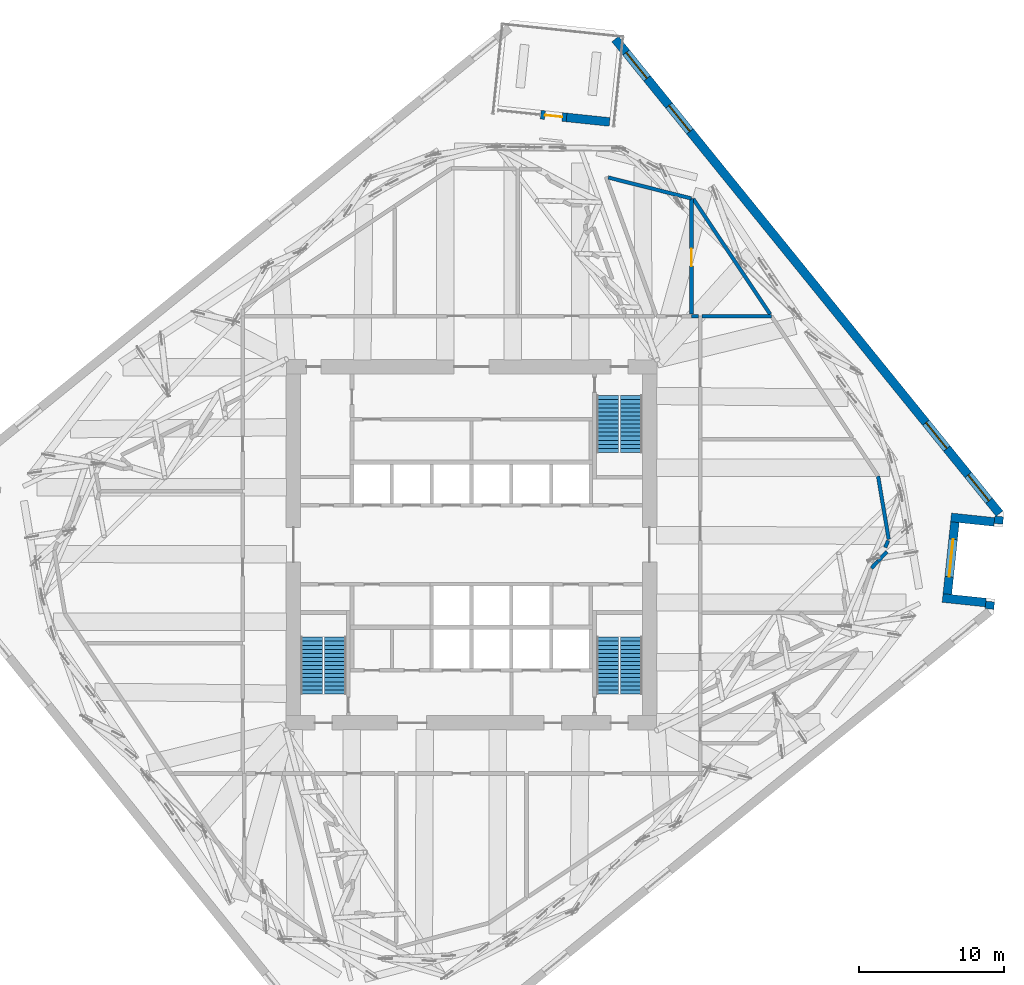
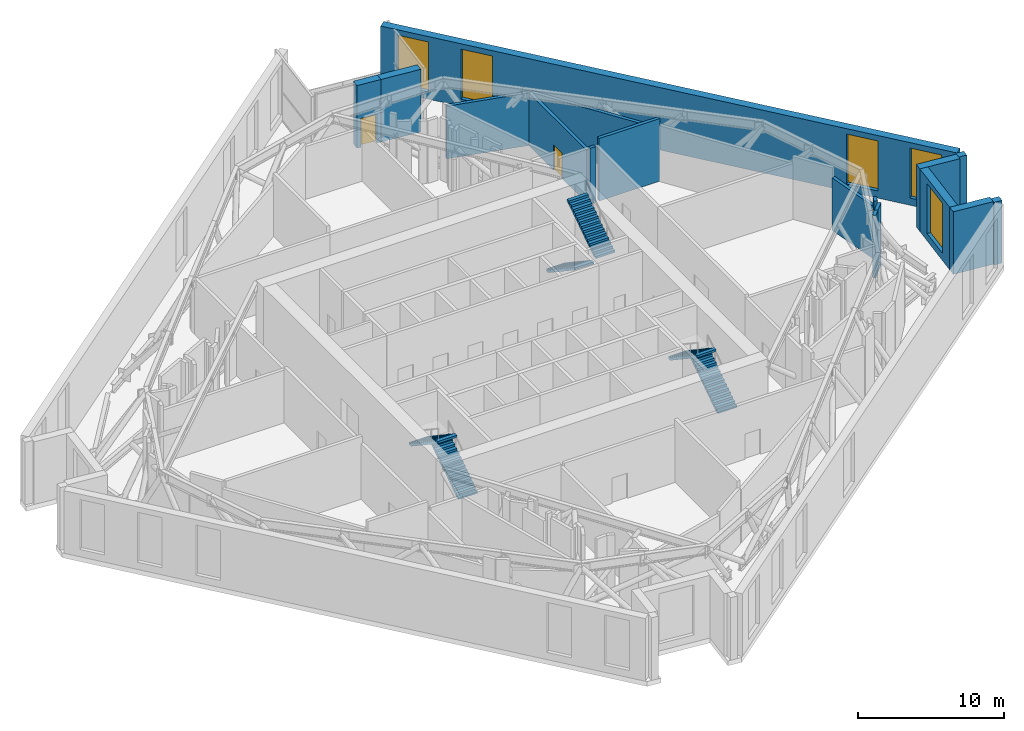
# One storey, part 12 of 17: 17 walls, 6 stair flights, 5 windows, 2 doors, 7 openings, 3 elements without a shape of their own.
"""IFC4 building model written with IfcOpenShell, lengths in metres."""

import ifcopenshell
import ifcopenshell.guid

model = None  # the IFC model being written
_history = None  # IfcOwnerHistory: only IFC2X3 demands one
_inside = {}  # id of a spatial element -> (the spatial element, [elements in it])
_under = {}  # id of a project, library or spatial element -> (it, [spatial elements below it])
_declared = {}  # id of a project -> (the project, [libraries it declares])
_typed = {}  # id of a type object -> (the type object, [elements of that type])
_made_of = {}  # id of a material, layer set ... -> (it, [elements and type objects made of it])


def new_model(schema):
    """Start an empty IFC model of exactly this schema.

    Asked for "IFC4X3", IfcOpenShell would pick the latest addendum, in which some entities
    have other attributes; the version numbers below select the first issue.
    IFC2X3 requires an IfcOwnerHistory on every rooted entity: one is made here for all.
    """
    global model, _history
    if schema == "IFC4X3":
        model = ifcopenshell.file(schema_version=(4, 3, 0, 0))
    else:
        model = ifcopenshell.file(schema=schema)
    _inside.clear()
    _under.clear()
    _declared.clear()
    _typed.clear()
    _made_of.clear()
    _history = None
    if model.schema == "IFC2X3":
        org = make("IfcOrganization", Name="unknown")
        user = make(
            "IfcPersonAndOrganization",
            ThePerson=make("IfcPerson", FamilyName="unknown"),
            TheOrganization=org,
        )
        app = make(
            "IfcApplication",
            ApplicationDeveloper=org,
            Version="unknown",
            ApplicationFullName="unknown",
            ApplicationIdentifier="unknown",
        )
        _history = make(
            "IfcOwnerHistory",
            OwningUser=user,
            OwningApplication=app,
            ChangeAction="ADDED",
            CreationDate=0,
        )
    return model


def make(cls, **values):
    """One entity of the class cls with the attributes given. An attribute that is None is left unset."""
    return model.create_entity(
        cls, **{name: value for name, value in values.items() if value is not None}
    )


def rooted(cls, **values):
    """An entity with a GlobalId (a new one), such as an element, a storey or a relation."""
    return make(cls, GlobalId=ifcopenshell.guid.new(), OwnerHistory=_history, **values)


def si_unit(unit_type, name, prefix=None):
    """IfcSIUnit, for example si_unit("LENGTHUNIT", "METRE", prefix="MILLI")."""
    return make("IfcSIUnit", UnitType=unit_type, Prefix=prefix, Name=name)


def assignment(units):
    """IfcUnitAssignment: the units of a project."""
    return None if units is None else make("IfcUnitAssignment", Units=units)


def point(xyz):
    """IfcCartesianPoint."""
    return None if xyz is None else make("IfcCartesianPoint", Coordinates=xyz)


def direction(xyz):
    """IfcDirection."""
    return None if xyz is None else make("IfcDirection", DirectionRatios=xyz)


def frame(location, z_axis=None, x_axis=None):
    """IfcAxis2Placement3D, a coordinate frame: its origin and axes. An axis left out is left unset."""
    return make(
        "IfcAxis2Placement3D",
        Location=point(location),
        Axis=direction(z_axis),
        RefDirection=direction(x_axis),
    )


def frame_2d(location, x_axis=None):
    """IfcAxis2Placement2D, a coordinate frame in the plane: its origin and x axis."""
    return make(
        "IfcAxis2Placement2D", Location=point(location), RefDirection=direction(x_axis)
    )


def origin():
    """The frame at (0, 0, 0) with its axes left unset."""
    return frame((0.0, 0.0, 0.0))


def place(relative_to, where):
    """IfcLocalPlacement: puts the frame where relative to a parent placement (None: the world)."""
    return make(
        "IfcLocalPlacement", PlacementRelTo=relative_to, RelativePlacement=where
    )


def context(
    kind, dimensions, precision=None, world=None, true_north=None, identifier=None
):
    """IfcGeometricRepresentationContext, for example the 3D "Model" context."""
    return make(
        "IfcGeometricRepresentationContext",
        ContextIdentifier=identifier,
        ContextType=kind,
        CoordinateSpaceDimension=dimensions,
        Precision=precision,
        WorldCoordinateSystem=world,
        TrueNorth=true_north,
    )


def subcontext(parent, identifier, kind, view, scale=None):
    """IfcGeometricRepresentationSubContext, for example "Body" below "Model"."""
    return make(
        "IfcGeometricRepresentationSubContext",
        ContextIdentifier=identifier,
        ContextType=kind,
        ParentContext=parent,
        TargetScale=scale,
        TargetView=view,
    )


def project(units=None, contexts=None):
    """IfcProject with its units and contexts."""
    return rooted(
        "IfcProject",
        Name="project",
        RepresentationContexts=contexts,
        UnitsInContext=assignment(units),
    )


def spatial(cls, under=None, at=None, **own):
    """A site, building, storey or space (cls), placed at a placement, below another one or the project."""
    s = rooted(cls, ObjectPlacement=at, **own)
    if under is not None:
        _under.setdefault(under.id(), (under, []))[1].append(s)
    return s


def polyline(points):
    """IfcPolyline through the points."""
    return make("IfcPolyline", Points=[point(p) for p in points])


def profile(cls, at=None, kind="AREA", **sizes):
    """A parametric profile (cls). Its sizes go by their IFC names, for example OverallWidth=200.0."""
    return make(cls, ProfileType=kind, Position=at, **sizes)


def rectangle(**sizes):
    """IfcRectangleProfileDef."""
    return profile("IfcRectangleProfileDef", **sizes)


def outline(outer, holes=None, kind="AREA"):
    """IfcArbitraryClosedProfileDef: a profile drawn as a closed curve; with holes, ...WithVoids."""
    if holes is None:
        return make("IfcArbitraryClosedProfileDef", ProfileType=kind, OuterCurve=outer)
    return make(
        "IfcArbitraryProfileDefWithVoids",
        ProfileType=kind,
        OuterCurve=outer,
        InnerCurves=holes,
    )


def extrude(swept, where, along, depth):
    """IfcExtrudedAreaSolid: the profile swept, set in the frame where, extruded along a direction by depth."""
    return make(
        "IfcExtrudedAreaSolid",
        SweptArea=swept,
        Position=where,
        ExtrudedDirection=direction(along),
        Depth=depth,
    )


def shape(context_of_items, identifier, shape_type, items):
    """IfcShapeRepresentation: the items that make up one representation, for example the "Body"."""
    return make(
        "IfcShapeRepresentation",
        ContextOfItems=context_of_items,
        RepresentationIdentifier=identifier,
        RepresentationType=shape_type,
        Items=items,
    )


def material(Name=None, Category=None):
    """IfcMaterial."""
    return make("IfcMaterial", Name=Name, Category=Category)


def layer(
    of_material, thickness, ventilated=None, Name=None, Category=None, Priority=None
):
    """IfcMaterialLayer: one layer of a wall or slab, of a material (None: an air gap)."""
    return make(
        "IfcMaterialLayer",
        Material=of_material,
        LayerThickness=thickness,
        IsVentilated=ventilated,
        Name=Name,
        Category=Category,
        Priority=Priority,
    )


def layer_set(layers, Name=None):
    """IfcMaterialLayerSet."""
    return make("IfcMaterialLayerSet", MaterialLayers=layers, LayerSetName=Name)


def made_of(thing, what):
    """Note that an element or type object is made of a material, layer set ...; save() writes the relation."""
    if what is not None:
        _made_of.setdefault(what.id(), (what, []))[1].append(thing)
    return thing


def type_object(cls, material=None, **own):
    """A type object (cls), such as IfcWallType, which elements share."""
    return made_of(rooted(cls, **own), material)


def element(
    cls,
    number,
    at=None,
    inside=None,
    cuts=None,
    type_object=None,
    material=None,
    context=None,
    identifier="Body",
    shape_type=None,
    held_by="IfcProductDefinitionShape",
    body=None,
    shapes=None,
    **own,
):
    """One element of the class cls, such as IfcWall. Its Tag is "e" and its number.

    at: its placement. inside: the storey or other place that contains it. cuts: it is an
    opening in that element (IfcRelVoidsElement). A single representation is given by context,
    identifier, shape_type and body (its items); several are given by shapes. held_by: the class
    of the entity that holds the representations. save() writes the other relations.
    """
    e = rooted(cls, Tag="e%d" % number, ObjectPlacement=at, **own)
    if body is not None:
        shapes = [shape(context, identifier, shape_type, body)]
    if shapes is not None:
        e.Representation = make(held_by, Representations=shapes)
    if inside is not None:
        _inside.setdefault(inside.id(), (inside, []))[1].append(e)
    if cuts is not None:
        rooted(
            "IfcRelVoidsElement", RelatingBuildingElement=cuts, RelatedOpeningElement=e
        )
    if type_object is not None:
        _typed.setdefault(type_object.id(), (type_object, []))[1].append(e)
    return made_of(e, material)


def fill(opening, filler):
    """IfcRelFillsElement: the door or window that sits in an opening."""
    return rooted(
        "IfcRelFillsElement",
        RelatingOpeningElement=opening,
        RelatedBuildingElement=filler,
    )


def aggregate(whole, parts):
    """IfcRelAggregates: a whole, such as a stair, and the parts it consists of."""
    return rooted("IfcRelAggregates", RelatingObject=whole, RelatedObjects=parts)


def save(model, path):
    """Write the relations noted so far, then the file.

    IfcRelAggregates (storeys below a building ...), IfcRelContainedInSpatialStructure (elements
    in a storey), IfcRelDefinesByType, IfcRelAssociatesMaterial and IfcRelDeclares: one each for
    every whole, place, type object, material and project.
    """
    for whole, parts in _under.values():
        aggregate(whole, parts)
    for where, things in _inside.values():
        rooted(
            "IfcRelContainedInSpatialStructure",
            RelatedElements=things,
            RelatingStructure=where,
        )
    for kind, things in _typed.values():
        rooted("IfcRelDefinesByType", RelatedObjects=things, RelatingType=kind)
    for what, things in _made_of.values():
        rooted("IfcRelAssociatesMaterial", RelatedObjects=things, RelatingMaterial=what)
    for by, libraries in _declared.values():
        rooted("IfcRelDeclares", RelatingContext=by, RelatedDefinitions=libraries)
    model.write(path)


model = new_model("IFC4")

# Units and contexts
model_context = context("Model", 3, precision=1e-05, world=origin(), true_north=direction((0.0, 1.0)))
body_context = subcontext(model_context, "Body", "Model", "MODEL_VIEW")
ifc_project = project(units=[si_unit("LENGTHUNIT", "METRE"), si_unit("AREAUNIT", "SQUARE_METRE"), si_unit("VOLUMEUNIT", "CUBIC_METRE"), si_unit("PLANEANGLEUNIT", "RADIAN"), si_unit("MASSUNIT", "GRAM", prefix="KILO")], contexts=[model_context])

# Site, building, storey
site_placement = place(None, origin())
site = spatial("IfcSite", under=ifc_project, at=site_placement, CompositionType="ELEMENT")
building_placement = place(site_placement, origin())
building = spatial("IfcBuilding", under=site, at=building_placement, Name="Dilmun Exchange Tower", CompositionType="ELEMENT")
storey_placement = place(building_placement, frame((0.0, 0.0, 183.699951171875)))
storey = spatial("IfcBuildingStorey", under=building, at=storey_placement, Name="L43", CompositionType="ELEMENT", Elevation=183.699951171875)

# Walls
ifc_material_1 = material(Name="Concrete C32/40", Category="concrete")
ifc_layer_1 = layer(ifc_material_1, 0.25)
ifc_layer_set_1 = layer_set([ifc_layer_1], Name="Concrete C32/40")
wall_type_1 = type_object("IfcWallType", Name="Plant room wall 250", PredefinedType="PARTITIONING", material=ifc_layer_set_1)
wall_1_placement = place(storey_placement, frame((27.62158203125, -1.620849609375, 0.0), z_axis=(0.0, 0.0, 1.0), x_axis=(0.681545040838, 0.731776166126, 0.0)))
element("IfcWall", 1, at=wall_1_placement, inside=storey, type_object=wall_type_1, Name="L43 plant room wall 73", PredefinedType="PARTITIONING", context=body_context, shape_type="SweptSolid", body=[
    extrude(rectangle(XDim=0.6416015625, YDim=0.25, at=frame_2d((0.32080078125, 0.0))), origin(), (0.0, 0.0, 1.0), 5.219970703125),
])
wall_2_placement = place(storey_placement, frame((28.068115234375, -1.141357421875, 0.0), z_axis=(0.0, 0.0, 1.0), x_axis=(0.681194606792, 0.732102388794, 0.0)))
element("IfcWall", 2, at=wall_2_placement, inside=storey, type_object=wall_type_1, Name="L43 plant room wall 74", PredefinedType="PARTITIONING", context=body_context, shape_type="SweptSolid", body=[
    extrude(rectangle(XDim=0.906494140625, YDim=0.25, at=frame_2d((0.453125, 0.0))), origin(), (0.0, 0.0, 1.0), 5.219970703125),
])
wall_3_placement = place(storey_placement, frame((28.57568359375, -0.18359375, 0.0), z_axis=(0.0, 0.0, 1.0), x_axis=(0.399087891266, 0.916912675801, 0.0)))
element("IfcWall", 3, at=wall_3_placement, inside=storey, type_object=wall_type_1, Name="L43 plant room wall 76", PredefinedType="PARTITIONING", context=body_context, shape_type="SweptSolid", body=[
    extrude(rectangle(XDim=0.51806640625, YDim=0.25, at=frame_2d((0.259033203125, 0.0))), origin(), (0.0, 0.0, 1.0), 5.219970703125),
])
wall_4_placement = place(storey_placement, frame((28.084228515625, 4.746337890625, 0.0), z_axis=(0.0, 0.0, 1.0), x_axis=(0.166482200354, -0.986044459933, 0.0)))
element("IfcWall", 4, at=wall_4_placement, inside=storey, type_object=wall_type_1, Name="L43 plant room wall 84", PredefinedType="PARTITIONING", context=body_context, shape_type="SweptSolid", body=[
    extrude(rectangle(XDim=4.42724609375, YDim=0.25, at=frame_2d((2.213623046875, 0.0))), origin(), (0.0, 0.0, 1.0), 4.385986328125),
])
wall_5_placement = place(storey_placement, frame((15.205078125, 15.800048828125, 0.0), z_axis=(0.0, 0.0, 1.0), x_axis=(1.0, 0.0, 0.0)))
element("IfcWall", 5, at=wall_5_placement, inside=storey, type_object=wall_type_1, Name="L43 plant room wall 113", PredefinedType="PARTITIONING", context=body_context, shape_type="SweptSolid", body=[
    extrude(rectangle(XDim=0.46484375, YDim=0.25, at=frame_2d((0.232421875, 0.0))), origin(), (0.0, 0.0, 1.0), 4.650146484375),
])
wall_6_placement = place(storey_placement, frame((15.929931640625, 15.800048828125, 0.0), z_axis=(0.0, 0.0, 1.0), x_axis=(1.0, 0.0, 0.0)))
element("IfcWall", 6, at=wall_6_placement, inside=storey, type_object=wall_type_1, Name="L43 plant room wall 114", PredefinedType="PARTITIONING", context=body_context, shape_type="SweptSolid", body=[
    extrude(rectangle(XDim=4.784912109375, YDim=0.25, at=frame_2d((2.392578125, 0.0))), origin(), (0.0, 0.0, 1.0), 5.219970703125),
])
wall_7_placement = place(storey_placement, frame((15.32421875, 23.885498046875, 0.0), z_axis=(0.0, 0.0, 1.0), x_axis=(0.554717873221, -0.832038509403, 0.0)))
element("IfcWall", 7, at=wall_7_placement, inside=storey, type_object=wall_type_1, Name="L43 plant room wall 132", PredefinedType="PARTITIONING", context=body_context, shape_type="SweptSolid", body=[
    extrude(rectangle(XDim=9.5615234375, YDim=0.25, at=frame_2d((4.78076171875, 0.0))), origin(), (0.0, 0.0, 1.0), 4.385986328125),
])

# Wall, opening, door
wall_8_placement = place(storey_placement, frame((15.199951171875, 15.929931640625, 0.0), z_axis=(0.0, 0.0, 1.0), x_axis=(0.0, 1.0, 0.0)))
wall_8 = element("IfcWall", 8, at=wall_8_placement, inside=storey, type_object=wall_type_1, Name="L43 plant room wall 133", PredefinedType="PARTITIONING", context=body_context, shape_type="SweptSolid", body=[
    extrude(rectangle(XDim=7.98681640625, YDim=0.25, at=frame_2d((3.993408203125, 0.0))), origin(), (0.0, 0.0, 1.0), 4.385986328125),
])
opening_1_placement = place(wall_8_placement, frame((3.325927734375, 0.0, 0.0)))
opening_1 = element("IfcOpeningElement", 9, at=opening_1_placement, cuts=wall_8, Name="Opening PD2", PredefinedType="OPENING", context=body_context, shape_type="SweptSolid", body=[
    extrude(rectangle(XDim=1.199951171875, YDim=2.10009765625, at=frame_2d((0.60009765625, 1.050048828125))), frame((0.0, 0.135009765625, 0.0), z_axis=(0.0, -1.0, 0.0), x_axis=(1.0, 0.0, 0.0)), (0.0, 0.0, 1.0), 0.27001953125),
])
ifc_material_2 = material(Name="Fire-rated steel door set", Category="steel")
door_type_1 = type_object("IfcDoorType", Name="Plant room door 1200x2100", OperationType="SINGLE_SWING_LEFT", PredefinedType="DOOR", material=ifc_material_2)
door_1_placement = place(opening_1_placement, origin())
door_1 = element("IfcDoor", 10, at=door_1_placement, inside=storey, type_object=door_type_1, Name="L43 door Mechanical valve room", OperationType="SINGLE_SWING_RIGHT", OverallHeight=2.10009765625, OverallWidth=1.199951171875, PredefinedType="DOOR", context=body_context, shape_type="SweptSolid", body=[
    extrude(rectangle(XDim=1.199951171875, YDim=2.10009765625, at=frame_2d((0.60009765625, 1.050048828125))), frame((0.0, 0.02490234375, 0.0), z_axis=(0.0, -1.0, 0.0), x_axis=(1.0, 0.0, 0.0)), (0.0, 0.0, 1.0), 0.050048828125),
])
fill(opening_1, door_1)

# Walls
wall_9_placement = place(storey_placement, frame((9.4462890625, 25.3720703125, 0.0), z_axis=(0.0, 0.0, 1.0), x_axis=(0.969473533102, -0.245195980015, 0.0)))
element("IfcWall", 11, at=wall_9_placement, inside=storey, type_object=wall_type_1, Name="L43 plant room wall 135", PredefinedType="PARTITIONING", context=body_context, shape_type="SweptSolid", body=[
    extrude(rectangle(XDim=5.91455078125, YDim=0.25, at=frame_2d((2.957275390625, 0.0))), origin(), (0.0, 0.0, 1.0), 4.385986328125),
])
ifc_material_3 = material(Name="Precast concrete C50/60", Category="concrete")
ifc_layer_2 = layer(ifc_material_3, 0.60009765625)
ifc_layer_set_2 = layer_set([ifc_layer_2], Name="Precast concrete C50/60")
wall_type_2 = type_object("IfcWallType", Name="Precast stone-clad wall 600", PredefinedType="STANDARD", material=ifc_layer_set_2)
wall_10_placement = place(storey_placement, frame((35.7783203125, -4.4296875, 0.0), z_axis=(0.0, 0.0, 1.0), x_axis=(0.104610188855, 0.994513302268, 0.0)))
element("IfcWall", 12, at=wall_10_placement, inside=storey, type_object=wall_type_2, Name="Facade wall L43-16", PredefinedType="STANDARD", context=body_context, shape_type="SweptSolid", body=[
    extrude(rectangle(XDim=0.510986328125, YDim=0.60009765625, at=frame_2d((0.25537109375, 0.0))), origin(), (0.0, 0.0, 1.0), 5.219970703125),
])
wall_11_placement = place(storey_placement, frame((35.52294921875, -3.989501953125, 0.0), z_axis=(0.0, 0.0, 1.0), x_axis=(-0.994517485792, 0.10457040907, 0.0)))
element("IfcWall", 13, at=wall_11_placement, inside=storey, type_object=wall_type_2, Name="Facade wall L43-17", PredefinedType="STANDARD", context=body_context, shape_type="SweptSolid", body=[
    extrude(rectangle(XDim=3.0, YDim=0.60009765625, at=frame_2d((1.5, 0.0))), origin(), (0.0, 0.0, 1.0), 5.219970703125),
])

# Wall, opening, window
wall_12_placement = place(storey_placement, frame((32.868896484375, -3.40869140625, 0.0), z_axis=(0.0, 0.0, 1.0), x_axis=(0.104544982588, 0.994520158979, 0.0)))
wall_12 = element("IfcWall", 14, at=wall_12_placement, inside=storey, type_object=wall_type_2, Name="Facade wall L43-18", PredefinedType="STANDARD", context=body_context, shape_type="SweptSolid", body=[
    extrude(rectangle(XDim=4.999755859375, YDim=0.60009765625, at=frame_2d((2.5, 0.0))), origin(), (0.0, 0.0, 1.0), 5.219970703125),
])
opening_2_placement = place(wall_12_placement, frame((1.199951171875, 0.0, 0.60009765625)))
opening_2 = element("IfcOpeningElement", 15, at=opening_2_placement, cuts=wall_12, Name="Opening LV260-417", PredefinedType="OPENING", context=body_context, shape_type="SweptSolid", body=[
    extrude(rectangle(XDim=2.60009765625, YDim=4.169921875, at=frame_2d((1.300048828125, 2.0849609375))), frame((0.0, 0.31005859375, 0.0), z_axis=(0.0, -1.0, 0.0), x_axis=(1.0, 0.0, 0.0)), (0.0, 0.0, 1.0), 0.6201171875),
])
ifc_material_4 = material(Name="Anodised aluminium louvre blades with sand trap", Category="aluminium")
window_type_1 = type_object("IfcWindowType", Name="Plant louvre 2600 x 4170", PartitioningType="SINGLE_PANEL", PredefinedType="USERDEFINED", material=ifc_material_4)
window_1_placement = place(opening_2_placement, origin())
window_1 = element("IfcWindow", 16, at=window_1_placement, inside=storey, type_object=window_type_1, Name="Plant louvre 19.1", ObjectType="LOUVRE", OverallHeight=4.169921875, OverallWidth=2.60009765625, PartitioningType="SINGLE_PANEL", PredefinedType="USERDEFINED", context=body_context, shape_type="SweptSolid", body=[
    extrude(rectangle(XDim=2.60009765625, YDim=4.169921875, at=frame_2d((1.300048828125, 2.0849609375))), frame((0.0, 0.030029296875, 0.0), z_axis=(0.0, -1.0, 0.0), x_axis=(1.0, 0.0, 0.0)), (0.0, 0.0, 1.0), 0.06005859375),
])
fill(opening_2, window_1)

# Walls
wall_13_placement = place(storey_placement, frame((33.124755859375, 1.8935546875, 0.0), z_axis=(0.0, 0.0, 1.0), x_axis=(0.994516595821, -0.104578872801, 0.0)))
element("IfcWall", 17, at=wall_13_placement, inside=storey, type_object=wall_type_2, Name="Facade wall L43-19", PredefinedType="STANDARD", context=body_context, shape_type="SweptSolid", body=[
    extrude(rectangle(XDim=2.999755859375, YDim=0.60009765625, at=frame_2d((1.5, 0.0))), origin(), (0.0, 0.0, 1.0), 5.219970703125),
])
wall_14_placement = place(storey_placement, frame((36.39599609375, 1.44921875, 0.0), z_axis=(0.0, 0.0, 1.0), x_axis=(0.105082598183, 0.994463497349, 0.0)))
element("IfcWall", 18, at=wall_14_placement, inside=storey, type_object=wall_type_2, Name="Facade wall L43-20", PredefinedType="STANDARD", context=body_context, shape_type="SweptSolid", body=[
    extrude(rectangle(XDim=0.51123046875, YDim=0.60009765625, at=frame_2d((0.255615234375, 0.0))), origin(), (0.0, 0.0, 1.0), 5.219970703125),
])

# Wall, openings, windows
wall_15_placement = place(storey_placement, frame((36.470458984375, 2.156494140625, 0.0), z_axis=(0.0, 0.0, 1.0), x_axis=(-0.62932061547, 0.777145779725, 0.0)))
wall_15 = element("IfcWall", 19, at=wall_15_placement, inside=storey, type_object=wall_type_2, Name="Facade wall L43-21", PredefinedType="STANDARD", context=body_context, shape_type="SweptSolid", body=[
    extrude(rectangle(XDim=42.175537109375, YDim=0.60009765625, at=frame_2d((21.087890625, 0.0))), origin(), (0.0, 0.0, 1.0), 5.219970703125),
])
opening_3_placement = place(wall_15_placement, frame((1.137939453125, 0.0, 0.60009765625)))
opening_3 = element("IfcOpeningElement", 20, at=opening_3_placement, cuts=wall_15, Name="Opening LV230-417", PredefinedType="OPENING", context=body_context, shape_type="SweptSolid", body=[
    extrude(rectangle(XDim=2.300048828125, YDim=4.169921875, at=frame_2d((1.14990234375, 2.0849609375))), frame((0.0, 0.31005859375, 0.0), z_axis=(0.0, -1.0, 0.0), x_axis=(1.0, 0.0, 0.0)), (0.0, 0.0, 1.0), 0.6201171875),
])
opening_4_placement = place(wall_15_placement, frame((5.775634765625, 0.0, 0.60009765625)))
opening_4 = element("IfcOpeningElement", 21, at=opening_4_placement, cuts=wall_15, Name="Opening LV230-417", PredefinedType="OPENING", context=body_context, shape_type="SweptSolid", body=[
    extrude(rectangle(XDim=2.300048828125, YDim=4.169921875, at=frame_2d((1.14990234375, 2.0849609375))), frame((0.0, 0.31005859375, 0.0), z_axis=(0.0, -1.0, 0.0), x_axis=(1.0, 0.0, 0.0)), (0.0, 0.0, 1.0), 0.6201171875),
])
opening_5_placement = place(wall_15_placement, frame((33.9755859375, 0.0, 0.60009765625)))
opening_5 = element("IfcOpeningElement", 22, at=opening_5_placement, cuts=wall_15, Name="Opening LV230-417", PredefinedType="OPENING", context=body_context, shape_type="SweptSolid", body=[
    extrude(rectangle(XDim=2.300048828125, YDim=4.169921875, at=frame_2d((1.14990234375, 2.0849609375))), frame((0.0, 0.31005859375, 0.0), z_axis=(0.0, -1.0, 0.0), x_axis=(1.0, 0.0, 0.0)), (0.0, 0.0, 1.0), 0.6201171875),
])
opening_6_placement = place(wall_15_placement, frame((38.67578125, 0.0, 0.60009765625)))
opening_6 = element("IfcOpeningElement", 23, at=opening_6_placement, cuts=wall_15, Name="Opening LV230-417", PredefinedType="OPENING", context=body_context, shape_type="SweptSolid", body=[
    extrude(rectangle(XDim=2.300048828125, YDim=4.169921875, at=frame_2d((1.14990234375, 2.0849609375))), frame((0.0, 0.31005859375, 0.0), z_axis=(0.0, -1.0, 0.0), x_axis=(1.0, 0.0, 0.0)), (0.0, 0.0, 1.0), 0.6201171875),
])
window_type_2 = type_object("IfcWindowType", Name="Plant louvre 2300 x 4170", PartitioningType="SINGLE_PANEL", PredefinedType="USERDEFINED", material=ifc_material_4)
window_2_placement = place(opening_3_placement, origin())
window_2 = element("IfcWindow", 24, at=window_2_placement, inside=storey, type_object=window_type_2, Name="Plant louvre 22.1", ObjectType="LOUVRE", OverallHeight=4.169921875, OverallWidth=2.300048828125, PartitioningType="SINGLE_PANEL", PredefinedType="USERDEFINED", context=body_context, shape_type="SweptSolid", body=[
    extrude(rectangle(XDim=2.300048828125, YDim=4.169921875, at=frame_2d((1.14990234375, 2.0849609375))), frame((0.0, 0.030029296875, 0.0), z_axis=(0.0, -1.0, 0.0), x_axis=(1.0, 0.0, 0.0)), (0.0, 0.0, 1.0), 0.06005859375),
])
fill(opening_3, window_2)
window_3_placement = place(opening_4_placement, origin())
window_3 = element("IfcWindow", 25, at=window_3_placement, inside=storey, type_object=window_type_2, Name="Plant louvre 22.2", ObjectType="LOUVRE", OverallHeight=4.169921875, OverallWidth=2.300048828125, PartitioningType="SINGLE_PANEL", PredefinedType="USERDEFINED", context=body_context, shape_type="SweptSolid", body=[
    extrude(rectangle(XDim=2.300048828125, YDim=4.169921875, at=frame_2d((1.14990234375, 2.0849609375))), frame((0.0, 0.030029296875, 0.0), z_axis=(0.0, -1.0, 0.0), x_axis=(1.0, 0.0, 0.0)), (0.0, 0.0, 1.0), 0.06005859375),
])
fill(opening_4, window_3)
window_4_placement = place(opening_5_placement, origin())
window_4 = element("IfcWindow", 26, at=window_4_placement, inside=storey, type_object=window_type_2, Name="Plant louvre 22.8", ObjectType="LOUVRE", OverallHeight=4.169921875, OverallWidth=2.300048828125, PartitioningType="SINGLE_PANEL", PredefinedType="USERDEFINED", context=body_context, shape_type="SweptSolid", body=[
    extrude(rectangle(XDim=2.300048828125, YDim=4.169921875, at=frame_2d((1.14990234375, 2.0849609375))), frame((0.0, 0.030029296875, 0.0), z_axis=(0.0, -1.0, 0.0), x_axis=(1.0, 0.0, 0.0)), (0.0, 0.0, 1.0), 0.06005859375),
])
fill(opening_5, window_4)
window_5_placement = place(opening_6_placement, origin())
window_5 = element("IfcWindow", 27, at=window_5_placement, inside=storey, type_object=window_type_2, Name="Plant louvre 22.9", ObjectType="LOUVRE", OverallHeight=4.169921875, OverallWidth=2.300048828125, PartitioningType="SINGLE_PANEL", PredefinedType="USERDEFINED", context=body_context, shape_type="SweptSolid", body=[
    extrude(rectangle(XDim=2.300048828125, YDim=4.169921875, at=frame_2d((1.14990234375, 2.0849609375))), frame((0.0, 0.030029296875, 0.0), z_axis=(0.0, -1.0, 0.0), x_axis=(1.0, 0.0, 0.0)), (0.0, 0.0, 1.0), 0.06005859375),
])
fill(opening_6, window_5)

# Wall
wall_16_placement = place(storey_placement, frame((9.5400390625, 29.2080078125, 0.0), z_axis=(0.0, 0.0, 1.0), x_axis=(-0.994519765358, 0.104548726976, 0.0)))
element("IfcWall", 28, at=wall_16_placement, inside=storey, type_object=wall_type_2, Name="Facade wall L43-01-0B", PredefinedType="STANDARD", context=body_context, shape_type="SweptSolid", body=[
    extrude(rectangle(XDim=2.989013671875, YDim=0.60009765625, at=frame_2d((1.49462890625, 0.0))), origin(), (0.0, 0.0, 1.0), 5.219970703125),
])

# Wall, opening, door
wall_17_placement = place(storey_placement, frame((6.5673828125, 29.5205078125, 0.0), z_axis=(0.0, 0.0, 1.0), x_axis=(-0.994518078987, 0.104564767339, 0.0)))
wall_17 = element("IfcWall", 29, at=wall_17_placement, inside=storey, type_object=wall_type_2, Name="Facade wall L43-01-D", PredefinedType="STANDARD", context=body_context, shape_type="SweptSolid", body=[
    extrude(rectangle(XDim=1.800048828125, YDim=0.60009765625, at=frame_2d((0.89990234375, 0.0))), origin(), (0.0, 0.0, 1.0), 5.219970703125),
])
opening_7_placement = place(wall_17_placement, frame((0.300048828125, 0.0, 0.0)))
opening_7 = element("IfcOpeningElement", 30, at=opening_7_placement, cuts=wall_17, Name="Opening GD-1", PredefinedType="OPENING", context=body_context, shape_type="SweptSolid", body=[
    extrude(rectangle(XDim=1.199951171875, YDim=2.39990234375, at=frame_2d((0.60009765625, 1.199951171875))), frame((0.0, 0.31005859375, 0.0), z_axis=(0.0, -1.0, 0.0), x_axis=(1.0, 0.0, 0.0)), (0.0, 0.0, 1.0), 0.6201171875),
])
ifc_material_5 = material(Name="Clear low-emissivity glass in aluminium frame", Category="aluminium")
door_type_2 = type_object("IfcDoorType", Name="Glazed garden door 1200 x 2400", OperationType="SINGLE_SWING_LEFT", PredefinedType="DOOR", material=ifc_material_5)
door_2_placement = place(opening_7_placement, origin())
door_2 = element("IfcDoor", 31, at=door_2_placement, inside=storey, type_object=door_type_2, Name="Garden terrace door", OperationType="SINGLE_SWING_LEFT", OverallHeight=2.39990234375, OverallWidth=1.199951171875, PredefinedType="DOOR", context=body_context, shape_type="SweptSolid", body=[
    extrude(rectangle(XDim=1.199951171875, YDim=2.39990234375, at=frame_2d((0.60009765625, 1.199951171875))), frame((0.0, 0.02490234375, 0.0), z_axis=(0.0, -1.0, 0.0), x_axis=(1.0, 0.0, 0.0)), (0.0, 0.0, 1.0), 0.050048828125),
])
fill(opening_7, door_2)

# Stair, stair flights
ifc_material_6 = material(Name="Concrete C40/50", Category="concrete")
stair_type = type_object("IfcStairType", Name="Exit stair 1500 half-turn", PredefinedType="HALF_TURN_STAIR", material=ifc_material_6)
stair_1_placement = place(storey_placement, origin())
stair_1 = element("IfcStair", 32, at=stair_1_placement, inside=storey, type_object=stair_type, Name="L43 Protected exit stair ST1", PredefinedType="HALF_TURN_STAIR")
stair_flight_type = type_object("IfcStairFlightType", Name="Exit stair flight 1500", PredefinedType="STRAIGHT", material=ifc_material_6)
stair_flight_1_placement = place(storey_placement, frame((9.39990234375, 10.300048828125, 0.0), z_axis=(0.0, 0.0, 1.0), x_axis=(0.0, -1.0, 0.0)))
stair_flight_1 = element("IfcStairFlight", 33, at=stair_flight_1_placement, type_object=stair_flight_type, Name="ST1 flight 1", NumberOfRisers=15, NumberOfTreads=14, PredefinedType="STRAIGHT", RiserHeight=0.186666667, TreadLength=0.28, context=body_context, shape_type="SweptSolid", body=[
    extrude(outline(polyline([(0.0, 0.0), (0.0, 0.186767578125), (0.280029296875, 0.186767578125), (0.280029296875, 0.373291015625), (0.56005859375, 0.373291015625), (0.56005859375, 0.56005859375), (0.840087890625, 0.56005859375), (0.840087890625, 0.74658203125), (1.1201171875, 0.74658203125), (1.1201171875, 0.933349609375), (1.39990234375, 0.933349609375), (1.39990234375, 1.1201171875), (1.679931640625, 1.1201171875), (1.679931640625, 1.306640625), (1.9599609375, 1.306640625), (1.9599609375, 1.493408203125), (2.239990234375, 1.493408203125), (2.239990234375, 1.679931640625), (2.52001953125, 1.679931640625), (2.52001953125, 1.86669921875), (2.800048828125, 1.86669921875), (2.800048828125, 2.05322265625), (3.080078125, 2.05322265625), (3.080078125, 2.239990234375), (3.360107421875, 2.239990234375), (3.360107421875, 2.4267578125), (3.639892578125, 2.4267578125), (3.639892578125, 2.61328125), (3.919921875, 2.61328125), (3.919921875, 2.800048828125), (3.919921875, 2.43310546875), (0.270263671875, 0.0), (0.0, 0.0)])), frame((0.0, 0.75, 0.0), z_axis=(0.0, -1.0, 0.0), x_axis=(1.0, 0.0, 0.0)), (0.0, 0.0, 1.0), 1.5),
])
stair_flight_2_placement = place(storey_placement, frame((11.050048828125, 6.3798828125, 2.800048828125), z_axis=(0.0, 0.0, 1.0), x_axis=(0.0, 1.0, 0.0)))
stair_flight_2 = element("IfcStairFlight", 34, at=stair_flight_2_placement, type_object=stair_flight_type, Name="ST1 flight 2", NumberOfRisers=15, NumberOfTreads=14, PredefinedType="STRAIGHT", RiserHeight=0.186666667, TreadLength=0.28, context=body_context, shape_type="SweptSolid", body=[
    extrude(outline(polyline([(0.0, 0.0), (0.0, 0.186767578125), (0.280029296875, 0.186767578125), (0.280029296875, 0.373291015625), (0.56005859375, 0.373291015625), (0.56005859375, 0.56005859375), (0.840087890625, 0.56005859375), (0.840087890625, 0.74658203125), (1.1201171875, 0.74658203125), (1.1201171875, 0.933349609375), (1.39990234375, 0.933349609375), (1.39990234375, 1.1201171875), (1.679931640625, 1.1201171875), (1.679931640625, 1.306640625), (1.9599609375, 1.306640625), (1.9599609375, 1.493408203125), (2.239990234375, 1.493408203125), (2.239990234375, 1.679931640625), (2.52001953125, 1.679931640625), (2.52001953125, 1.86669921875), (2.800048828125, 1.86669921875), (2.800048828125, 2.05322265625), (3.080078125, 2.05322265625), (3.080078125, 2.239990234375), (3.360107421875, 2.239990234375), (3.360107421875, 2.4267578125), (3.639892578125, 2.4267578125), (3.639892578125, 2.61328125), (3.919921875, 2.61328125), (3.919921875, 2.800048828125), (3.919921875, 2.43310546875), (0.270263671875, 0.0), (0.0, 0.0)])), frame((0.0, 0.75, 0.0), z_axis=(0.0, -1.0, 0.0), x_axis=(1.0, 0.0, 0.0)), (0.0, 0.0, 1.0), 1.5),
])
aggregate(stair_1, [stair_flight_1, stair_flight_2])

stair_2_placement = place(storey_placement, origin())
stair_2 = element("IfcStair", 35, at=stair_2_placement, inside=storey, type_object=stair_type, Name="L43 Protected exit stair ST2", PredefinedType="HALF_TURN_STAIR")
stair_flight_3_placement = place(storey_placement, frame((-9.39990234375, -10.300048828125, 0.0), z_axis=(0.0, 0.0, 1.0), x_axis=(0.0, 1.0, 0.0)))
stair_flight_3 = element("IfcStairFlight", 36, at=stair_flight_3_placement, type_object=stair_flight_type, Name="ST2 flight 1", NumberOfRisers=15, NumberOfTreads=14, PredefinedType="STRAIGHT", RiserHeight=0.186666667, TreadLength=0.28, context=body_context, shape_type="SweptSolid", body=[
    extrude(outline(polyline([(0.0, 0.0), (0.0, 0.186767578125), (0.280029296875, 0.186767578125), (0.280029296875, 0.373291015625), (0.56005859375, 0.373291015625), (0.56005859375, 0.56005859375), (0.840087890625, 0.56005859375), (0.840087890625, 0.74658203125), (1.1201171875, 0.74658203125), (1.1201171875, 0.933349609375), (1.39990234375, 0.933349609375), (1.39990234375, 1.1201171875), (1.679931640625, 1.1201171875), (1.679931640625, 1.306640625), (1.9599609375, 1.306640625), (1.9599609375, 1.493408203125), (2.239990234375, 1.493408203125), (2.239990234375, 1.679931640625), (2.52001953125, 1.679931640625), (2.52001953125, 1.86669921875), (2.800048828125, 1.86669921875), (2.800048828125, 2.05322265625), (3.080078125, 2.05322265625), (3.080078125, 2.239990234375), (3.360107421875, 2.239990234375), (3.360107421875, 2.4267578125), (3.639892578125, 2.4267578125), (3.639892578125, 2.61328125), (3.919921875, 2.61328125), (3.919921875, 2.800048828125), (3.919921875, 2.43310546875), (0.270263671875, 0.0), (0.0, 0.0)])), frame((0.0, 0.75, 0.0), z_axis=(0.0, -1.0, 0.0), x_axis=(1.0, 0.0, 0.0)), (0.0, 0.0, 1.0), 1.5),
])
stair_flight_4_placement = place(storey_placement, frame((-11.050048828125, -6.3798828125, 2.800048828125), z_axis=(0.0, 0.0, 1.0), x_axis=(0.0, -1.0, 0.0)))
stair_flight_4 = element("IfcStairFlight", 37, at=stair_flight_4_placement, type_object=stair_flight_type, Name="ST2 flight 2", NumberOfRisers=15, NumberOfTreads=14, PredefinedType="STRAIGHT", RiserHeight=0.186666667, TreadLength=0.28, context=body_context, shape_type="SweptSolid", body=[
    extrude(outline(polyline([(0.0, 0.0), (0.0, 0.186767578125), (0.280029296875, 0.186767578125), (0.280029296875, 0.373291015625), (0.56005859375, 0.373291015625), (0.56005859375, 0.56005859375), (0.840087890625, 0.56005859375), (0.840087890625, 0.74658203125), (1.1201171875, 0.74658203125), (1.1201171875, 0.933349609375), (1.39990234375, 0.933349609375), (1.39990234375, 1.1201171875), (1.679931640625, 1.1201171875), (1.679931640625, 1.306640625), (1.9599609375, 1.306640625), (1.9599609375, 1.493408203125), (2.239990234375, 1.493408203125), (2.239990234375, 1.679931640625), (2.52001953125, 1.679931640625), (2.52001953125, 1.86669921875), (2.800048828125, 1.86669921875), (2.800048828125, 2.05322265625), (3.080078125, 2.05322265625), (3.080078125, 2.239990234375), (3.360107421875, 2.239990234375), (3.360107421875, 2.4267578125), (3.639892578125, 2.4267578125), (3.639892578125, 2.61328125), (3.919921875, 2.61328125), (3.919921875, 2.800048828125), (3.919921875, 2.43310546875), (0.270263671875, 0.0), (0.0, 0.0)])), frame((0.0, 0.75, 0.0), z_axis=(0.0, -1.0, 0.0), x_axis=(1.0, 0.0, 0.0)), (0.0, 0.0, 1.0), 1.5),
])
aggregate(stair_2, [stair_flight_3, stair_flight_4])

stair_3_placement = place(storey_placement, origin())
stair_3 = element("IfcStair", 38, at=stair_3_placement, inside=storey, type_object=stair_type, Name="L43 Protected exit stair ST3", PredefinedType="HALF_TURN_STAIR")
stair_flight_5_placement = place(storey_placement, frame((11.050048828125, -10.300048828125, 0.0), z_axis=(0.0, 0.0, 1.0), x_axis=(0.0, 1.0, 0.0)))
stair_flight_5 = element("IfcStairFlight", 39, at=stair_flight_5_placement, type_object=stair_flight_type, Name="ST3 flight 1", NumberOfRisers=15, NumberOfTreads=14, PredefinedType="STRAIGHT", RiserHeight=0.186666667, TreadLength=0.28, context=body_context, shape_type="SweptSolid", body=[
    extrude(outline(polyline([(0.0, 0.0), (0.0, 0.186767578125), (0.280029296875, 0.186767578125), (0.280029296875, 0.373291015625), (0.56005859375, 0.373291015625), (0.56005859375, 0.56005859375), (0.840087890625, 0.56005859375), (0.840087890625, 0.74658203125), (1.1201171875, 0.74658203125), (1.1201171875, 0.933349609375), (1.39990234375, 0.933349609375), (1.39990234375, 1.1201171875), (1.679931640625, 1.1201171875), (1.679931640625, 1.306640625), (1.9599609375, 1.306640625), (1.9599609375, 1.493408203125), (2.239990234375, 1.493408203125), (2.239990234375, 1.679931640625), (2.52001953125, 1.679931640625), (2.52001953125, 1.86669921875), (2.800048828125, 1.86669921875), (2.800048828125, 2.05322265625), (3.080078125, 2.05322265625), (3.080078125, 2.239990234375), (3.360107421875, 2.239990234375), (3.360107421875, 2.4267578125), (3.639892578125, 2.4267578125), (3.639892578125, 2.61328125), (3.919921875, 2.61328125), (3.919921875, 2.800048828125), (3.919921875, 2.43310546875), (0.270263671875, 0.0), (0.0, 0.0)])), frame((0.0, 0.75, 0.0), z_axis=(0.0, -1.0, 0.0), x_axis=(1.0, 0.0, 0.0)), (0.0, 0.0, 1.0), 1.5),
])
stair_flight_6_placement = place(storey_placement, frame((9.39990234375, -6.3798828125, 2.800048828125), z_axis=(0.0, 0.0, 1.0), x_axis=(0.0, -1.0, 0.0)))
stair_flight_6 = element("IfcStairFlight", 40, at=stair_flight_6_placement, type_object=stair_flight_type, Name="ST3 flight 2", NumberOfRisers=15, NumberOfTreads=14, PredefinedType="STRAIGHT", RiserHeight=0.186666667, TreadLength=0.28, context=body_context, shape_type="SweptSolid", body=[
    extrude(outline(polyline([(0.0, 0.0), (0.0, 0.186767578125), (0.280029296875, 0.186767578125), (0.280029296875, 0.373291015625), (0.56005859375, 0.373291015625), (0.56005859375, 0.56005859375), (0.840087890625, 0.56005859375), (0.840087890625, 0.74658203125), (1.1201171875, 0.74658203125), (1.1201171875, 0.933349609375), (1.39990234375, 0.933349609375), (1.39990234375, 1.1201171875), (1.679931640625, 1.1201171875), (1.679931640625, 1.306640625), (1.9599609375, 1.306640625), (1.9599609375, 1.493408203125), (2.239990234375, 1.493408203125), (2.239990234375, 1.679931640625), (2.52001953125, 1.679931640625), (2.52001953125, 1.86669921875), (2.800048828125, 1.86669921875), (2.800048828125, 2.05322265625), (3.080078125, 2.05322265625), (3.080078125, 2.239990234375), (3.360107421875, 2.239990234375), (3.360107421875, 2.4267578125), (3.639892578125, 2.4267578125), (3.639892578125, 2.61328125), (3.919921875, 2.61328125), (3.919921875, 2.800048828125), (3.919921875, 2.43310546875), (0.270263671875, 0.0), (0.0, 0.0)])), frame((0.0, 0.75, 0.0), z_axis=(0.0, -1.0, 0.0), x_axis=(1.0, 0.0, 0.0)), (0.0, 0.0, 1.0), 1.5),
])
aggregate(stair_3, [stair_flight_5, stair_flight_6])

save(model, "model.ifc")
